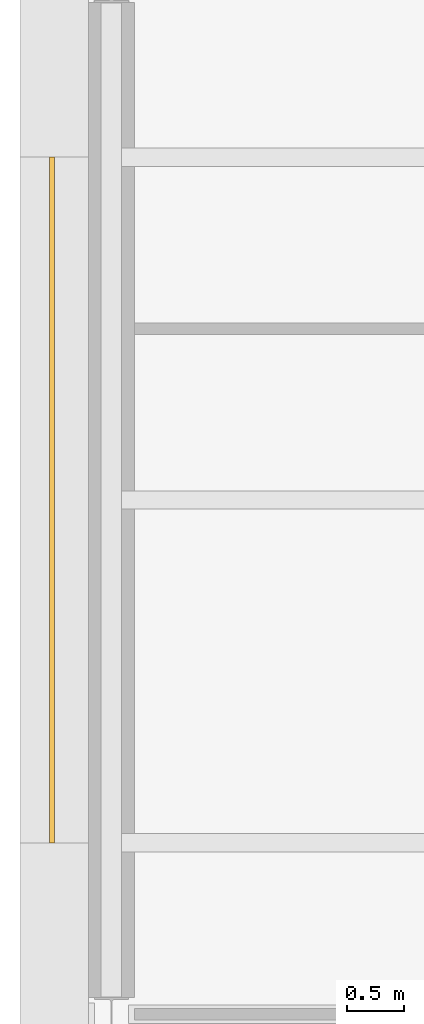
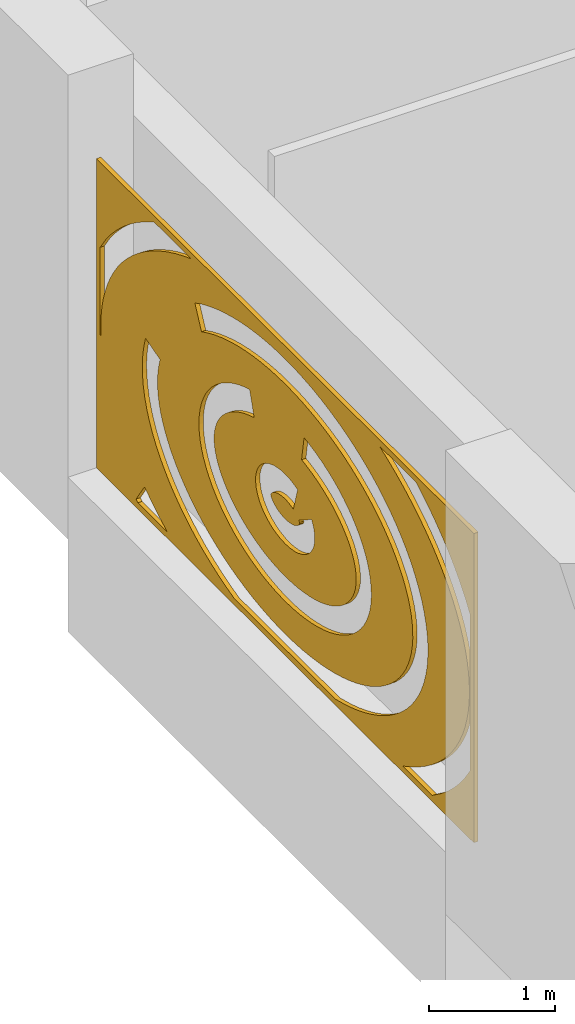
# One storey, part 111 of 131: 1 covering.
"""IFC4 building model written with IfcOpenShell, lengths in metres."""

from ifc_helpers import new_model, si_unit, direction, frame, origin, place, context, subcontext, project, spatial, polyline, outline, extrude, material, layer, layer_set, type_object, element, save


model = new_model("IFC4")

# Units and contexts
model_context = context("Model", 3, precision=1e-05, world=origin(), true_north=direction((0.0, 1.0)))
body_context = subcontext(model_context, "Body", "Model", "MODEL_VIEW")
ifc_project = project(units=[si_unit("LENGTHUNIT", "METRE"), si_unit("AREAUNIT", "SQUARE_METRE"), si_unit("VOLUMEUNIT", "CUBIC_METRE"), si_unit("PLANEANGLEUNIT", "RADIAN"), si_unit("MASSUNIT", "GRAM", prefix="KILO")], contexts=[model_context])

# Site, building, storey
site_placement = place(None, origin())
site = spatial("IfcSite", under=ifc_project, at=site_placement, CompositionType="ELEMENT")
building_placement = place(site_placement, origin())
building = spatial("IfcBuilding", under=site, at=building_placement, Name="Golden Quay Civic Hall", CompositionType="ELEMENT")
storey_placement = place(building_placement, frame((0.0, 0.0, 9.89990234375)))
storey = spatial("IfcBuildingStorey", under=building, at=storey_placement, Name="L02", CompositionType="ELEMENT", Elevation=9.89990234375)

# Covering
ifc_material = material(Name="Aluminium, golden anodised, perforated", Category="aluminium")
ifc_layer = layer(ifc_material, 0.0400390625)
ifc_layer_set = layer_set([ifc_layer], Name="Perforated screen panel 6000 x 3000 x 40")
covering_type = type_object("IfcCoveringType", Name="Perforated screen panel 6000 x 3000 x 40", PredefinedType="CLADDING", material=ifc_layer_set)
covering_placement = place(storey_placement, frame((-0.5, 49.5, 2.10009765625), z_axis=(-1.0, 0.0, 0.0), x_axis=(0.0, -1.0, 0.0)))
element("IfcCovering", 1, at=covering_placement, inside=storey, type_object=covering_type, Name="Perforated screen panel 6000 x 3000 x 40 L02 2", PredefinedType="CLADDING", context=body_context, shape_type="SweptSolid", body=[
    extrude(outline(polyline([(-3.0, -1.5), (3.0, -1.5), (3.0, 1.5), (-3.0, 1.5), (-3.0, -1.5)]), holes=[polyline([(0.0810546875, 0.0087890625), (0.03125, 0.015380859375), (-0.02001953125, 0.01611328125), (-0.070556640625, 0.0107421875), (-0.1171875, 0.0), (-0.157470703125, -0.014892578125), (-0.201904296875, -0.04150390625), (-0.223876953125, -0.065185546875), (-0.228515625, -0.07470703125), (-0.228271484375, -0.085205078125), (-0.211181640625, -0.10986328125), (-0.17431640625, -0.13671875), (-0.1376953125, -0.1533203125), (-0.093994140625, -0.166259765625), (-0.044921875, -0.17431640625), (0.006103515625, -0.176513671875), (0.05712890625, -0.1728515625), (0.10498046875, -0.16357421875), (0.1474609375, -0.1494140625), (0.1953125, -0.123291015625), (0.215087890625, -0.10595703125), (0.227783203125, -0.087158203125), (0.227783203125, -0.072998046875), (0.2177734375, -0.055908203125), (0.421630859375, 0.072509765625), (0.449951171875, 0.020263671875), (0.4619140625, -0.015380859375), (0.46875, -0.052978515625), (0.469970703125, -0.09130859375), (0.46533203125, -0.12939453125), (0.455322265625, -0.16650390625), (0.440185546875, -0.20166015625), (0.412109375, -0.24560546875), (0.370849609375, -0.29052734375), (0.3330078125, -0.321044921875), (0.277587890625, -0.3544921875), (0.206787109375, -0.38427734375), (0.162109375, -0.397705078125), (0.085205078125, -0.412109375), (0.006103515625, -0.41748046875), (-0.0732421875, -0.41357421875), (-0.151123046875, -0.400146484375), (-0.2177734375, -0.380615234375), (-0.28662109375, -0.349853515625), (-0.326904296875, -0.3251953125), (-0.3759765625, -0.285888671875), (-0.40966796875, -0.248779296875), (-0.441650390625, -0.198486328125), (-0.461181640625, -0.147705078125), (-0.47021484375, -0.089599609375), (-0.466064453125, -0.033447265625), (-0.448974609375, 0.02294921875), (-0.431640625, 0.056884765625), (-0.41015625, 0.088134765625), (-0.37646484375, 0.125244140625), (-0.319091796875, 0.17041015625), (-0.253662109375, 0.2060546875), (-0.18212890625, 0.232177734375), (-0.144775390625, 0.24169921875), (-0.07421875, 0.25341796875), (0.01220703125, 0.25732421875), (0.084228515625, 0.252197265625), (0.123046875, 0.24609375), (0.1982421875, 0.227294921875), (0.13037109375, -0.00390625), (0.0810546875, 0.0087890625)]), polyline([(-0.6474609375, 0.453369140625), (-0.7177734375, 0.421875), (-0.783447265625, 0.387451171875), (-0.84423828125, 0.350341796875), (-0.8994140625, 0.31103515625), (-0.948974609375, 0.27001953125), (-0.992431640625, 0.227294921875), (-1.02978515625, 0.18359375), (-1.061279296875, 0.139404296875), (-1.08642578125, 0.0947265625), (-1.105712890625, 0.050048828125), (-1.119140625, 0.005615234375), (-1.126953125, -0.03857421875), (-1.12939453125, -0.082763671875), (-1.126220703125, -0.126953125), (-1.117919921875, -0.171142578125), (-1.103515625, -0.215576171875), (-1.083740234375, -0.26025390625), (-1.0576171875, -0.3046875), (-1.025634765625, -0.34912109375), (-0.9873046875, -0.392578125), (-0.943115234375, -0.43505859375), (-0.892822265625, -0.47607421875), (-0.8369140625, -0.51513671875), (-0.775634765625, -0.5517578125), (-0.709228515625, -0.5859375), (-0.638427734375, -0.6171875), (-0.5634765625, -0.64501953125), (-0.48486328125, -0.66943359375), (-0.403076171875, -0.690185546875), (-0.318603515625, -0.707275390625), (-0.232177734375, -0.72021484375), (-0.144287109375, -0.72900390625), (-0.055419921875, -0.733642578125), (0.03369140625, -0.734130859375), (0.122802734375, -0.73046875), (0.2109375, -0.72265625), (0.2978515625, -0.710693359375), (0.3828125, -0.694580078125), (0.46533203125, -0.6748046875), (0.544677734375, -0.6513671875), (0.62060546875, -0.624267578125), (0.692626953125, -0.59375), (0.760009765625, -0.560302734375), (0.822509765625, -0.524169921875), (0.8798828125, -0.485595703125), (0.931396484375, -0.4453125), (0.977294921875, -0.403076171875), (1.016845703125, -0.359619140625), (1.050537109375, -0.315673828125), (1.077880859375, -0.27099609375), (1.099365234375, -0.226318359375), (1.114990234375, -0.181884765625), (1.124755859375, -0.1376953125), (1.129150390625, -0.093505859375), (1.1279296875, -0.04931640625), (1.12158203125, -0.005126953125), (1.109619140625, 0.039306640625), (1.091796875, 0.083984375), (1.06787109375, 0.12841796875), (1.0380859375, 0.1728515625), (1.002197265625, 0.216796875), (0.9599609375, 0.259765625), (0.911865234375, 0.30126953125), (0.858154296875, 0.341064453125), (0.798583984375, 0.378662109375), (0.734130859375, 0.413818359375), (0.6650390625, 0.446044921875), (0.59130859375, 0.47509765625), (0.513916015625, 0.5009765625), (0.433349609375, 0.523193359375), (0.349853515625, 0.54150390625), (0.26123046875, 0.556396484375), (0.30126953125, 0.7939453125), (0.392822265625, 0.778564453125), (0.488037109375, 0.7578125), (0.587158203125, 0.73046875), (0.670654296875, 0.70263671875), (0.757080078125, 0.668701171875), (0.83935546875, 0.630615234375), (0.92431640625, 0.584228515625), (0.997802734375, 0.537353515625), (1.05859375, 0.4921875), (1.121337890625, 0.438720703125), (1.177734375, 0.381591796875), (1.23486328125, 0.31201171875), (1.277587890625, 0.2470703125), (1.307373046875, 0.19140625), (1.335693359375, 0.122314453125), (1.35595703125, 0.051025390625), (1.36865234375, -0.0361328125), (1.369384765625, -0.109619140625), (1.361328125, -0.182861328125), (1.344482421875, -0.254638671875), (1.32470703125, -0.31201171875), (1.286376953125, -0.39208984375), (1.245849609375, -0.456787109375), (1.205322265625, -0.510009765625), (1.14404296875, -0.576904296875), (1.083984375, -0.6318359375), (1.025146484375, -0.677978515625), (0.946533203125, -0.730712890625), (0.870361328125, -0.7744140625), (0.79638671875, -0.811279296875), (0.704833984375, -0.849853515625), (0.616455078125, -0.88134765625), (0.524658203125, -0.908203125), (0.430419921875, -0.930908203125), (0.339599609375, -0.947998046875), (0.2353515625, -0.96240234375), (0.135498046875, -0.97119140625), (0.035400390625, -0.97509765625), (-0.0595703125, -0.974609375), (-0.159912109375, -0.969482421875), (-0.264892578125, -0.958740234375), (-0.357421875, -0.945068359375), (-0.453369140625, -0.92578125), (-0.55322265625, -0.900390625), (-0.63818359375, -0.8740234375), (-0.725830078125, -0.841796875), (-0.809814453125, -0.804931640625), (-0.889404296875, -0.764404296875), (-0.96435546875, -0.719482421875), (-1.034423828125, -0.6708984375), (-1.09912109375, -0.618896484375), (-1.15771484375, -0.56298828125), (-1.21728515625, -0.4951171875), (-1.2626953125, -0.431396484375), (-1.30078125, -0.364501953125), (-1.326416015625, -0.307861328125), (-1.349609375, -0.2373046875), (-1.3662109375, -0.150634765625), (-1.3701171875, -0.091796875), (-1.3671875, -0.018310546875), (-1.351806640625, 0.068603515625), (-1.32958984375, 0.13916015625), (-1.29931640625, 0.20751953125), (-1.261474609375, 0.2734375), (-1.223388671875, 0.327392578125), (-1.171875, 0.38818359375), (-1.114013671875, 0.445556640625), (-1.042724609375, 0.504638671875), (-0.973388671875, 0.5537109375), (-0.89892578125, 0.598876953125), (-0.81982421875, 0.64013671875), (-0.736328125, 0.67724609375), (-0.649169921875, 0.710205078125), (-0.564697265625, 0.7373046875), (-0.49169921875, 0.507568359375), (-0.572998046875, 0.481689453125), (-0.6474609375, 0.453369140625)]), polyline([(-2.023193359375, 0.012939453125), (-2.029052734375, -0.059814453125), (-2.02734375, -0.13232421875), (-2.018310546875, -0.205078125), (-2.001708984375, -0.277587890625), (-1.977294921875, -0.349853515625), (-1.9453125, -0.421875), (-1.905517578125, -0.492919921875), (-1.85791015625, -0.563232421875), (-1.802734375, -0.632080078125), (-1.739990234375, -0.69921875), (-1.669921875, -0.764404296875), (-1.592529296875, -0.8271484375), (-1.50830078125, -0.886962890625), (-1.417724609375, -0.94384765625), (-1.32080078125, -0.997314453125), (-1.218017578125, -1.046875), (-1.110107421875, -1.092529296875), (-0.997314453125, -1.1337890625), (-0.88037109375, -1.1708984375), (-0.759521484375, -1.203125), (-0.635009765625, -1.230712890625), (-0.508056640625, -1.25341796875), (-0.37890625, -1.27099609375), (-0.248046875, -1.283203125), (-0.115966796875, -1.29052734375), (0.0166015625, -1.29248046875), (0.14892578125, -1.289306640625), (0.280517578125, -1.28076171875), (0.4111328125, -1.26708984375), (0.539794921875, -1.248291015625), (0.666259765625, -1.224365234375), (0.789794921875, -1.195556640625), (0.909912109375, -1.162109375), (1.02587890625, -1.1240234375), (1.137451171875, -1.08154296875), (1.244140625, -1.034912109375), (1.345458984375, -0.984130859375), (1.44091796875, -0.929931640625), (1.52978515625, -0.872314453125), (1.6123046875, -0.811767578125), (1.68798828125, -0.748291015625), (1.75634765625, -0.6826171875), (1.817138671875, -0.614990234375), (1.87060546875, -0.5458984375), (1.916015625, -0.475341796875), (1.953857421875, -0.404052734375), (1.98388671875, -0.33203125), (2.00634765625, -0.259521484375), (2.021240234375, -0.18701171875), (2.028564453125, -0.1142578125), (2.0283203125, -0.04150390625), (2.0205078125, 0.031005859375), (2.00537109375, 0.103759765625), (1.982421875, 0.176025390625), (1.951904296875, 0.248046875), (1.913818359375, 0.3193359375), (1.86767578125, 0.389892578125), (1.81396484375, 0.458984375), (1.752685546875, 0.5263671875), (1.683837890625, 0.592041015625), (1.60791015625, 0.6552734375), (1.525146484375, 0.7158203125), (1.435546875, 0.773193359375), (1.33984375, 0.8271484375), (1.23828125, 0.87744140625), (1.13134765625, 0.924072265625), (1.01953125, 0.96630859375), (0.9033203125, 1.004150390625), (0.782958984375, 1.037353515625), (0.6591796875, 1.06591796875), (0.53271484375, 1.08935546875), (0.40380859375, 1.10791015625), (0.273193359375, 1.121337890625), (0.1416015625, 1.12939453125), (0.009033203125, 1.132568359375), (-0.123291015625, 1.130126953125), (-0.25537109375, 1.122802734375), (-0.385986328125, 1.110107421875), (-0.515380859375, 1.09228515625), (-0.64208984375, 1.0693359375), (-0.76611328125, 1.04150390625), (-0.886962890625, 1.0087890625), (-1.00390625, 0.9716796875), (-1.116455078125, 0.929931640625), (-1.22412109375, 0.884033203125), (-1.3291015625, 0.8330078125), (-1.434814453125, 1.04931640625), (-1.3212890625, 1.1044921875), (-1.208251953125, 1.15283203125), (-1.07958984375, 1.200439453125), (-0.952392578125, 1.24072265625), (-0.821533203125, 1.27587890625), (-0.6923828125, 1.304931640625), (-0.55078125, 1.33056640625), (-0.411865234375, 1.349609375), (-0.276123046875, 1.36279296875), (-0.1298828125, 1.37109375), (0.00732421875, 1.373291015625), (0.1494140625, 1.370361328125), (0.290771484375, 1.361572265625), (0.430908203125, 1.347412109375), (0.574462890625, 1.32666015625), (0.705810546875, 1.30224609375), (0.839599609375, 1.271484375), (0.97509765625, 1.23388671875), (1.0966796875, 1.194580078125), (1.21923828125, 1.148193359375), (1.3427734375, 1.0947265625), (1.449951171875, 1.04150390625), (1.556884765625, 0.981201171875), (1.664306640625, 0.912353515625), (1.753173828125, 0.847412109375), (1.841064453125, 0.774658203125), (1.927978515625, 0.691650390625), (1.99560546875, 0.617431640625), (2.06103515625, 0.53369140625), (2.12353515625, 0.437744140625), (2.1669921875, 0.357177734375), (2.20654296875, 0.264892578125), (2.239990234375, 0.158935546875), (2.257568359375, 0.07470703125), (2.2685546875, -0.0224609375), (2.26953125, -0.119873046875), (2.258544921875, -0.229248046875), (2.23828125, -0.3251953125), (2.20849609375, -0.419677734375), (2.169189453125, -0.511962890625), (2.12109375, -0.601806640625), (2.064453125, -0.68896484375), (1.999267578125, -0.772705078125), (1.926513671875, -0.853515625), (1.845947265625, -0.930419921875), (1.75830078125, -1.003662109375), (1.669677734375, -1.068603515625), (1.568603515625, -1.134033203125), (1.461669921875, -1.1953125), (1.34912109375, -1.251708984375), (1.2314453125, -1.303466796875), (1.10888671875, -1.35009765625), (0.982421875, -1.391845703125), (0.802490234375, -1.43994140625), (-0.80419921875, -1.43994140625), (-0.9501953125, -1.4013671875), (-1.072509765625, -1.36279296875), (-1.196044921875, -1.317626953125), (-1.3203125, -1.264892578125), (-1.4287109375, -1.212646484375), (-1.536865234375, -1.153076171875), (-1.645263671875, -1.085205078125), (-1.7353515625, -1.02099609375), (-1.82470703125, -0.948974609375), (-1.9130859375, -0.86669921875), (-1.98779296875, -0.786376953125), (-2.049072265625, -0.7099609375), (-2.10791015625, -0.623779296875), (-2.1630859375, -0.52490234375), (-2.19970703125, -0.44287109375), (-2.231689453125, -0.348876953125), (-2.25439453125, -0.253173828125), (-2.26806640625, -0.14404296875), (-2.269775390625, -0.046630859375), (-2.26123046875, 0.050537109375), (-2.242919921875, 0.146728515625), (-2.21875, 0.230712890625), (-1.9873046875, 0.163818359375), (-2.010009765625, 0.085693359375), (-2.023193359375, 0.012939453125)]), polyline([(-2.008056640625, -1.365478515625), (-1.868408203125, -1.43994140625), (-2.34033203125, -1.43994140625), (-2.369140625, -1.42041015625), (-2.234619140625, -1.220703125), (-2.123291015625, -1.2958984375), (-2.008056640625, -1.365478515625)]), polyline([(1.86865234375, -1.43994140625), (2.0029296875, -1.368408203125), (2.118408203125, -1.298828125), (2.227294921875, -1.225830078125), (2.3291015625, -1.1494140625), (2.423583984375, -1.06982421875), (2.510498046875, -0.98779296875), (2.589599609375, -0.9033203125), (2.660400390625, -0.816650390625), (2.723388671875, -0.728271484375), (2.77783203125, -0.63818359375), (2.823974609375, -0.54736328125), (2.86181640625, -0.455322265625), (2.89111328125, -0.36279296875), (2.912353515625, -0.269775390625), (2.925048828125, -0.176513671875), (2.929443359375, -0.0830078125), (2.925537109375, 0.010498046875), (2.913330078125, 0.10400390625), (2.892822265625, 0.197021484375), (2.864013671875, 0.28955078125), (2.82666015625, 0.381591796875), (2.781005859375, 0.47265625), (2.726806640625, 0.5625), (2.66455078125, 0.651123046875), (2.593994140625, 0.73779296875), (2.515625, 0.822509765625), (2.42919921875, 0.90478515625), (2.335205078125, 0.984619140625), (2.23388671875, 1.06103515625), (2.12548828125, 1.134521484375), (2.01025390625, 1.2041015625), (1.888671875, 1.27001953125), (1.760986328125, 1.331787109375), (1.6279296875, 1.389404296875), (1.495849609375, 1.43994140625), (2.080810546875, 1.43994140625), (2.252685546875, 1.339111328125), (2.371337890625, 1.2587890625), (2.483154296875, 1.1748046875), (2.587646484375, 1.08642578125), (2.6845703125, 0.994384765625), (2.778564453125, 0.892822265625), (2.859130859375, 0.793212890625), (2.93994140625, 0.67578125), (2.93994140625, -0.83544921875), (2.849365234375, -0.966064453125), (2.76806640625, -1.064697265625), (2.683837890625, -1.155029296875), (2.586669921875, -1.247314453125), (2.481689453125, -1.3359375), (2.34033203125, -1.43994140625), (1.86865234375, -1.43994140625)]), polyline([(-1.616943359375, 1.393798828125), (-1.75048828125, 1.336669921875), (-1.878662109375, 1.275146484375), (-2.00048828125, 1.209716796875), (-2.1162109375, 1.14013671875), (-2.225341796875, 1.067138671875), (-2.327392578125, 0.99072265625), (-2.421875, 0.911376953125), (-2.5087890625, 0.829345703125), (-2.588134765625, 0.744873046875), (-2.6591796875, 0.658203125), (-2.72216796875, 0.56982421875), (-2.77685546875, 0.47998046875), (-2.8232421875, 0.388916015625), (-2.861083984375, 0.297119140625), (-2.890625, 0.20458984375), (-2.912109375, 0.111328125), (-2.9248046875, 0.01806640625), (-2.929443359375, -0.075439453125), (-2.925537109375, -0.17431640625), (-2.93994140625, -0.1748046875), (-2.93994140625, 0.67529296875), (-2.85302734375, 0.801513671875), (-2.771728515625, 0.90087890625), (-2.677001953125, 1.001953125), (-2.579345703125, 1.09375), (-2.474365234375, 1.181640625), (-2.362060546875, 1.265380859375), (-2.247802734375, 1.342041015625), (-2.080810546875, 1.43994140625), (-1.4951171875, 1.43994140625), (-1.616943359375, 1.393798828125)])]), origin(), (0.0, 0.0, 1.0), 0.0400390625),
])

save(model, "model.ifc")
